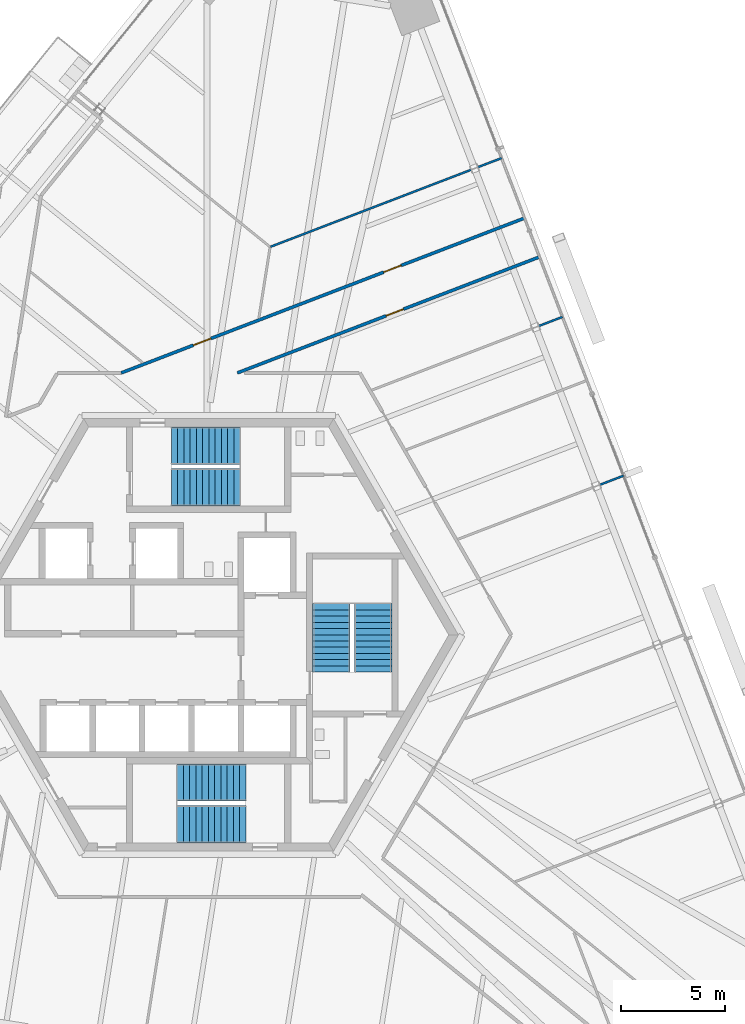
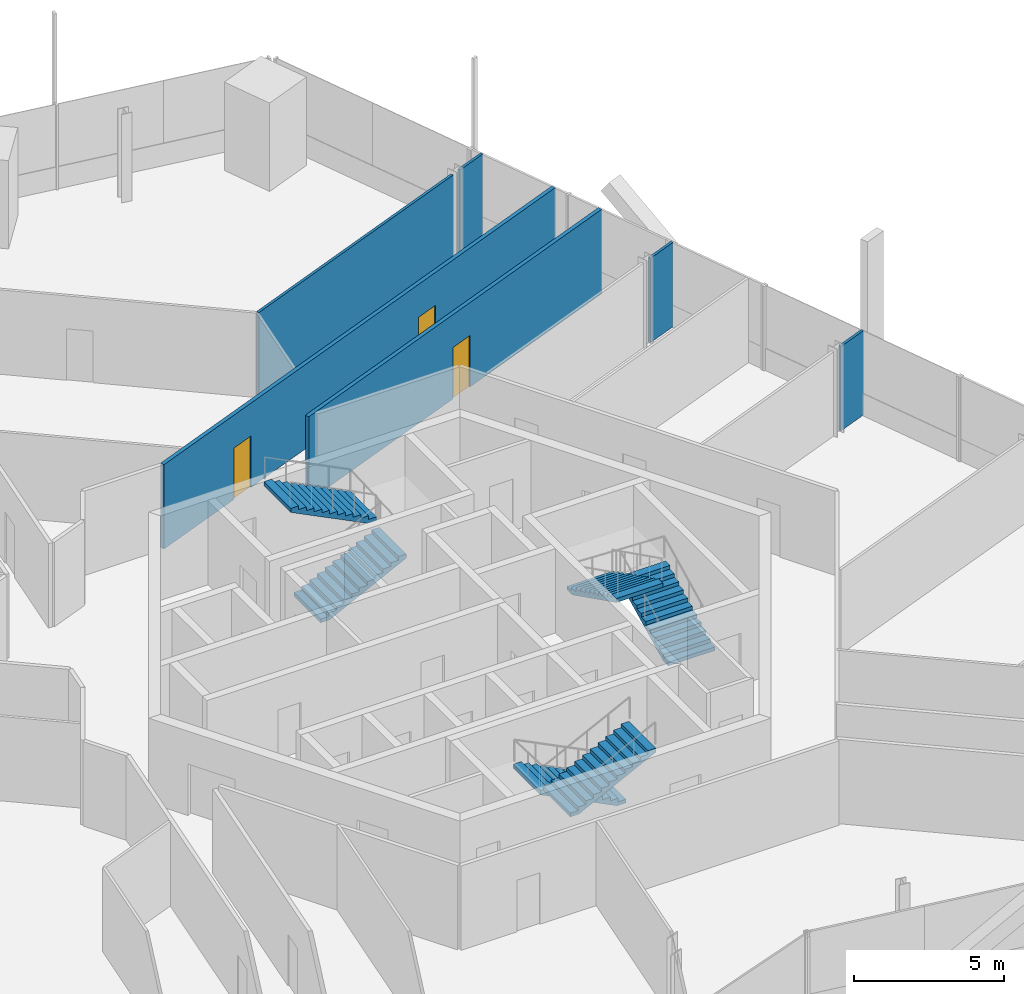
# One storey, part 15 of 21: 6 stair flights, 6 walls, 3 doors, 3 openings, 3 elements without a shape of their own.
"""IFC4 building model written with IfcOpenShell, lengths in metres."""

import ifcopenshell
import ifcopenshell.guid

model = None  # the IFC model being written
_history = None  # IfcOwnerHistory: only IFC2X3 demands one
_inside = {}  # id of a spatial element -> (the spatial element, [elements in it])
_under = {}  # id of a project, library or spatial element -> (it, [spatial elements below it])
_declared = {}  # id of a project -> (the project, [libraries it declares])
_typed = {}  # id of a type object -> (the type object, [elements of that type])
_made_of = {}  # id of a material, layer set ... -> (it, [elements and type objects made of it])


def new_model(schema):
    """Start an empty IFC model of exactly this schema.

    Asked for "IFC4X3", IfcOpenShell would pick the latest addendum, in which some entities
    have other attributes; the version numbers below select the first issue.
    IFC2X3 requires an IfcOwnerHistory on every rooted entity: one is made here for all.
    """
    global model, _history
    if schema == "IFC4X3":
        model = ifcopenshell.file(schema_version=(4, 3, 0, 0))
    else:
        model = ifcopenshell.file(schema=schema)
    _inside.clear()
    _under.clear()
    _declared.clear()
    _typed.clear()
    _made_of.clear()
    _history = None
    if model.schema == "IFC2X3":
        org = make("IfcOrganization", Name="unknown")
        user = make(
            "IfcPersonAndOrganization",
            ThePerson=make("IfcPerson", FamilyName="unknown"),
            TheOrganization=org,
        )
        app = make(
            "IfcApplication",
            ApplicationDeveloper=org,
            Version="unknown",
            ApplicationFullName="unknown",
            ApplicationIdentifier="unknown",
        )
        _history = make(
            "IfcOwnerHistory",
            OwningUser=user,
            OwningApplication=app,
            ChangeAction="ADDED",
            CreationDate=0,
        )
    return model


def make(cls, **values):
    """One entity of the class cls with the attributes given. An attribute that is None is left unset."""
    return model.create_entity(
        cls, **{name: value for name, value in values.items() if value is not None}
    )


def rooted(cls, **values):
    """An entity with a GlobalId (a new one), such as an element, a storey or a relation."""
    return make(cls, GlobalId=ifcopenshell.guid.new(), OwnerHistory=_history, **values)


def si_unit(unit_type, name, prefix=None):
    """IfcSIUnit, for example si_unit("LENGTHUNIT", "METRE", prefix="MILLI")."""
    return make("IfcSIUnit", UnitType=unit_type, Prefix=prefix, Name=name)


def assignment(units):
    """IfcUnitAssignment: the units of a project."""
    return None if units is None else make("IfcUnitAssignment", Units=units)


def point(xyz):
    """IfcCartesianPoint."""
    return None if xyz is None else make("IfcCartesianPoint", Coordinates=xyz)


def direction(xyz):
    """IfcDirection."""
    return None if xyz is None else make("IfcDirection", DirectionRatios=xyz)


def frame(location, z_axis=None, x_axis=None):
    """IfcAxis2Placement3D, a coordinate frame: its origin and axes. An axis left out is left unset."""
    return make(
        "IfcAxis2Placement3D",
        Location=point(location),
        Axis=direction(z_axis),
        RefDirection=direction(x_axis),
    )


def frame_2d(location, x_axis=None):
    """IfcAxis2Placement2D, a coordinate frame in the plane: its origin and x axis."""
    return make(
        "IfcAxis2Placement2D", Location=point(location), RefDirection=direction(x_axis)
    )


def origin():
    """The frame at (0, 0, 0) with its axes left unset."""
    return frame((0.0, 0.0, 0.0))


def place(relative_to, where):
    """IfcLocalPlacement: puts the frame where relative to a parent placement (None: the world)."""
    return make(
        "IfcLocalPlacement", PlacementRelTo=relative_to, RelativePlacement=where
    )


def context(
    kind, dimensions, precision=None, world=None, true_north=None, identifier=None
):
    """IfcGeometricRepresentationContext, for example the 3D "Model" context."""
    return make(
        "IfcGeometricRepresentationContext",
        ContextIdentifier=identifier,
        ContextType=kind,
        CoordinateSpaceDimension=dimensions,
        Precision=precision,
        WorldCoordinateSystem=world,
        TrueNorth=true_north,
    )


def subcontext(parent, identifier, kind, view, scale=None):
    """IfcGeometricRepresentationSubContext, for example "Body" below "Model"."""
    return make(
        "IfcGeometricRepresentationSubContext",
        ContextIdentifier=identifier,
        ContextType=kind,
        ParentContext=parent,
        TargetScale=scale,
        TargetView=view,
    )


def project(units=None, contexts=None):
    """IfcProject with its units and contexts."""
    return rooted(
        "IfcProject",
        Name="project",
        RepresentationContexts=contexts,
        UnitsInContext=assignment(units),
    )


def spatial(cls, under=None, at=None, **own):
    """A site, building, storey or space (cls), placed at a placement, below another one or the project."""
    s = rooted(cls, ObjectPlacement=at, **own)
    if under is not None:
        _under.setdefault(under.id(), (under, []))[1].append(s)
    return s


def polyline(points):
    """IfcPolyline through the points."""
    return make("IfcPolyline", Points=[point(p) for p in points])


def profile(cls, at=None, kind="AREA", **sizes):
    """A parametric profile (cls). Its sizes go by their IFC names, for example OverallWidth=200.0."""
    return make(cls, ProfileType=kind, Position=at, **sizes)


def rectangle(**sizes):
    """IfcRectangleProfileDef."""
    return profile("IfcRectangleProfileDef", **sizes)


def outline(outer, holes=None, kind="AREA"):
    """IfcArbitraryClosedProfileDef: a profile drawn as a closed curve; with holes, ...WithVoids."""
    if holes is None:
        return make("IfcArbitraryClosedProfileDef", ProfileType=kind, OuterCurve=outer)
    return make(
        "IfcArbitraryProfileDefWithVoids",
        ProfileType=kind,
        OuterCurve=outer,
        InnerCurves=holes,
    )


def extrude(swept, where, along, depth):
    """IfcExtrudedAreaSolid: the profile swept, set in the frame where, extruded along a direction by depth."""
    return make(
        "IfcExtrudedAreaSolid",
        SweptArea=swept,
        Position=where,
        ExtrudedDirection=direction(along),
        Depth=depth,
    )


def shape(context_of_items, identifier, shape_type, items):
    """IfcShapeRepresentation: the items that make up one representation, for example the "Body"."""
    return make(
        "IfcShapeRepresentation",
        ContextOfItems=context_of_items,
        RepresentationIdentifier=identifier,
        RepresentationType=shape_type,
        Items=items,
    )


def source(mapping_origin, context_of_items, identifier, shape_type, items):
    """IfcRepresentationMap: a shape defined once, which mapped items show again and again."""
    return make(
        "IfcRepresentationMap",
        MappingOrigin=mapping_origin,
        MappedRepresentation=shape(context_of_items, identifier, shape_type, items),
    )


def transform(
    local_origin,
    x_axis=None,
    y_axis=None,
    z_axis=None,
    scale=None,
    scale2=None,
    scale3=None,
    uniform=True,
):
    """IfcCartesianTransformationOperator3D, or its non-uniform kind. x_axis, y_axis, z_axis: its Axis1, 2, 3."""
    if uniform:
        return make(
            "IfcCartesianTransformationOperator3D",
            Axis1=direction(x_axis),
            Axis2=direction(y_axis),
            LocalOrigin=point(local_origin),
            Scale=scale,
            Axis3=direction(z_axis),
        )
    return make(
        "IfcCartesianTransformationOperator3DnonUniform",
        Axis1=direction(x_axis),
        Axis2=direction(y_axis),
        LocalOrigin=point(local_origin),
        Scale=scale,
        Axis3=direction(z_axis),
        Scale2=scale2,
        Scale3=scale3,
    )


def mapped(mapping_source, mapping_target):
    """IfcMappedItem: shows the shape of a source again, moved by a transform."""
    return make(
        "IfcMappedItem", MappingSource=mapping_source, MappingTarget=mapping_target
    )


def material(Name=None, Category=None):
    """IfcMaterial."""
    return make("IfcMaterial", Name=Name, Category=Category)


def layer(
    of_material, thickness, ventilated=None, Name=None, Category=None, Priority=None
):
    """IfcMaterialLayer: one layer of a wall or slab, of a material (None: an air gap)."""
    return make(
        "IfcMaterialLayer",
        Material=of_material,
        LayerThickness=thickness,
        IsVentilated=ventilated,
        Name=Name,
        Category=Category,
        Priority=Priority,
    )


def layer_set(layers, Name=None):
    """IfcMaterialLayerSet."""
    return make("IfcMaterialLayerSet", MaterialLayers=layers, LayerSetName=Name)


def made_of(thing, what):
    """Note that an element or type object is made of a material, layer set ...; save() writes the relation."""
    if what is not None:
        _made_of.setdefault(what.id(), (what, []))[1].append(thing)
    return thing


def type_object(cls, material=None, **own):
    """A type object (cls), such as IfcWallType, which elements share."""
    return made_of(rooted(cls, **own), material)


def element(
    cls,
    number,
    at=None,
    inside=None,
    cuts=None,
    type_object=None,
    material=None,
    context=None,
    identifier="Body",
    shape_type=None,
    held_by="IfcProductDefinitionShape",
    body=None,
    shapes=None,
    **own,
):
    """One element of the class cls, such as IfcWall. Its Tag is "e" and its number.

    at: its placement. inside: the storey or other place that contains it. cuts: it is an
    opening in that element (IfcRelVoidsElement). A single representation is given by context,
    identifier, shape_type and body (its items); several are given by shapes. held_by: the class
    of the entity that holds the representations. save() writes the other relations.
    """
    e = rooted(cls, Tag="e%d" % number, ObjectPlacement=at, **own)
    if body is not None:
        shapes = [shape(context, identifier, shape_type, body)]
    if shapes is not None:
        e.Representation = make(held_by, Representations=shapes)
    if inside is not None:
        _inside.setdefault(inside.id(), (inside, []))[1].append(e)
    if cuts is not None:
        rooted(
            "IfcRelVoidsElement", RelatingBuildingElement=cuts, RelatedOpeningElement=e
        )
    if type_object is not None:
        _typed.setdefault(type_object.id(), (type_object, []))[1].append(e)
    return made_of(e, material)


def fill(opening, filler):
    """IfcRelFillsElement: the door or window that sits in an opening."""
    return rooted(
        "IfcRelFillsElement",
        RelatingOpeningElement=opening,
        RelatedBuildingElement=filler,
    )


def aggregate(whole, parts):
    """IfcRelAggregates: a whole, such as a stair, and the parts it consists of."""
    return rooted("IfcRelAggregates", RelatingObject=whole, RelatedObjects=parts)


def save(model, path):
    """Write the relations noted so far, then the file.

    IfcRelAggregates (storeys below a building ...), IfcRelContainedInSpatialStructure (elements
    in a storey), IfcRelDefinesByType, IfcRelAssociatesMaterial and IfcRelDeclares: one each for
    every whole, place, type object, material and project.
    """
    for whole, parts in _under.values():
        aggregate(whole, parts)
    for where, things in _inside.values():
        rooted(
            "IfcRelContainedInSpatialStructure",
            RelatedElements=things,
            RelatingStructure=where,
        )
    for kind, things in _typed.values():
        rooted("IfcRelDefinesByType", RelatedObjects=things, RelatingType=kind)
    for what, things in _made_of.values():
        rooted("IfcRelAssociatesMaterial", RelatedObjects=things, RelatingMaterial=what)
    for by, libraries in _declared.values():
        rooted("IfcRelDeclares", RelatingContext=by, RelatedDefinitions=libraries)
    model.write(path)


model = new_model("IFC4")

# Units and contexts
model_context = context("Model", 3, precision=1e-05, world=origin(), true_north=direction((0.0, 1.0)))
body_context = subcontext(model_context, "Body", "Model", "MODEL_VIEW")
ifc_project = project(units=[si_unit("LENGTHUNIT", "METRE"), si_unit("AREAUNIT", "SQUARE_METRE"), si_unit("VOLUMEUNIT", "CUBIC_METRE"), si_unit("PLANEANGLEUNIT", "RADIAN"), si_unit("MASSUNIT", "GRAM", prefix="KILO")], contexts=[model_context])

# Site, building, storey
site_placement = place(None, origin())
site = spatial("IfcSite", under=ifc_project, at=site_placement, CompositionType="ELEMENT")
building_placement = place(site_placement, origin())
building = spatial("IfcBuilding", under=site, at=building_placement, Name="Triune Harvest Tower", CompositionType="ELEMENT")
storey_placement = place(building_placement, frame((0.0, 0.0, 160.5)))
storey = spatial("IfcBuildingStorey", under=building, at=storey_placement, Name="L41", CompositionType="ELEMENT", Elevation=160.5)

# Wall, opening, door
ifc_material_1 = material(Name="Gypsum board on steel studs", Category="steel")
ifc_layer_1 = layer(ifc_material_1, 0.14990234375)
ifc_layer_set_1 = layer_set([ifc_layer_1], Name="Gypsum board on steel studs")
wall_type_1 = type_object("IfcWallType", Name="Fire Partition 150 mm", PredefinedType="PARTITIONING", material=ifc_layer_set_1)
wall_1_placement = place(storey_placement, frame((1.377685546875, 12.592529296875, 0.0), z_axis=(0.0, 0.0, 1.0), x_axis=(0.933575228314, 0.358381490982, 0.0)))
wall_1 = element("IfcWall", 1, at=wall_1_placement, inside=storey, type_object=wall_type_1, Name="Partition L41 033", PredefinedType="PARTITIONING", context=body_context, shape_type="SweptSolid", body=[
    extrude(rectangle(XDim=15.5517578125, YDim=0.14990234375, at=frame_2d((7.77587890625, 0.0))), origin(), (0.0, 0.0, 1.0), 3.43994140625),
])
opening_1_placement = place(wall_1_placement, frame((7.6533203125, 0.0, 0.0)))
opening_1 = element("IfcOpeningElement", 2, at=opening_1_placement, cuts=wall_1, Name="Opening L41-006", PredefinedType="OPENING", context=body_context, shape_type="SweptSolid", body=[
    extrude(rectangle(XDim=0.89990234375, YDim=2.10009765625, at=frame_2d((0.449951171875, 1.050048828125))), frame((0.0, 0.0849609375, 0.0), z_axis=(0.0, -1.0, 0.0), x_axis=(1.0, 0.0, 0.0)), (0.0, 0.0, 1.0), 0.169921875),
])
ifc_material_2 = material(Name="Timber and steel door set", Category="steel")
door_type_1 = type_object("IfcDoorType", Name="Single leaf door FD30 left hand 900 x 2100", OperationType="SINGLE_SWING_LEFT", PredefinedType="DOOR", material=ifc_material_2)
door_1_placement = place(opening_1_placement, origin())
door_1 = element("IfcDoor", 3, at=door_1_placement, inside=storey, type_object=door_type_1, Name="Door L41-006 Office 41.06", OperationType="SINGLE_SWING_LEFT", OverallHeight=2.10009765625, OverallWidth=0.89990234375, PredefinedType="DOOR", context=body_context, shape_type="SweptSolid", body=[
    extrude(rectangle(XDim=0.89990234375, YDim=2.10009765625, at=frame_2d((0.449951171875, 1.050048828125))), frame((0.0, 0.02490234375, 0.0), z_axis=(0.0, -1.0, 0.0), x_axis=(1.0, 0.0, 0.0)), (0.0, 0.0, 1.0), 0.050048828125),
])
fill(opening_1, door_1)

# Walls
ifc_material_3 = material(Name="Gypsum board on steel studs", Category="steel")
ifc_layer_2 = layer(ifc_material_3, 0.10009765625)
ifc_layer_set_2 = layer_set([ifc_layer_2], Name="Gypsum board on steel studs")
wall_type_2 = type_object("IfcWallType", Name="Partition 100 mm", PredefinedType="PARTITIONING", material=ifc_layer_set_2)
shared_shape_1 = source(origin(), body_context, "Body", "SweptSolid", [
    extrude(rectangle(XDim=1.212158203125, YDim=0.10009765625, at=frame_2d((0.60595703125, 0.0))), origin(), (0.0, 0.0, 1.0), 3.43994140625),
])
for number, where, z_axis, x_axis, name in (
    (4, (18.80078125, 7.21728515625, 0.0), (0.0, 0.0, 1.0), (0.933527169353, 0.358506658349, 0.0), "Partition L41 028"),
    (5, (15.871337890625, 14.84912109375, 0.0), (0.0, 0.0, 1.0), (0.933594564159, 0.358331117506, 0.0), "Partition L41 031"),
    (6, (12.941650390625, 22.481201171875, 0.0), (0.0, 0.0, 1.0), (0.933594564159, 0.358331117506, 0.0), "Partition L41 040"),
):
    element("IfcWall", number, at=place(storey_placement, frame(where, z_axis=z_axis, x_axis=x_axis)), inside=storey, type_object=wall_type_2, Name=name, PredefinedType="PARTITIONING", context=body_context, shape_type="MappedRepresentation", body=[
        mapped(shared_shape_1, transform((0.0, 0.0, 0.0), scale=1.0)),
    ])

# Wall, openings, doors
shared_shape_2 = source(origin(), body_context, "Body", "SweptSolid", [
    extrude(rectangle(XDim=20.762451171875, YDim=0.14990234375, at=frame_2d((10.38134765625, 0.0))), origin(), (0.0, 0.0, 1.0), 3.43994140625),
])
wall_2_placement = place(storey_placement, frame((-4.20361328125, 12.592529296875, 0.0), z_axis=(0.0, 0.0, 1.0), x_axis=(0.933578464151, 0.358373061591, 0.0)))
wall_2 = element("IfcWall", 7, at=wall_2_placement, inside=storey, type_object=wall_type_1, Name="Partition L41 038", PredefinedType="PARTITIONING", context=body_context, shape_type="MappedRepresentation", body=[
    mapped(shared_shape_2, transform((0.0, 0.0, 0.0), scale=1.0)),
])
opening_2_placement = place(wall_2_placement, frame((13.51220703125, 0.0, 0.0)))
opening_2 = element("IfcOpeningElement", 8, at=opening_2_placement, cuts=wall_2, Name="Opening L41-005", PredefinedType="OPENING", context=body_context, shape_type="SweptSolid", body=[
    extrude(rectangle(XDim=0.89990234375, YDim=2.10009765625, at=frame_2d((0.449951171875, 1.050048828125))), frame((0.0, 0.0849609375, 0.0), z_axis=(0.0, -1.0, 0.0), x_axis=(1.0, 0.0, 0.0)), (0.0, 0.0, 1.0), 0.169921875),
])
opening_3_placement = place(wall_2_placement, frame((3.71875, 0.0, 0.0)))
opening_3 = element("IfcOpeningElement", 9, at=opening_3_placement, cuts=wall_2, Name="Opening L41-008", PredefinedType="OPENING", context=body_context, shape_type="SweptSolid", body=[
    extrude(rectangle(XDim=0.89990234375, YDim=2.10009765625, at=frame_2d((0.449951171875, 1.050048828125))), frame((0.0, 0.0849609375, 0.0), z_axis=(0.0, -1.0, 0.0), x_axis=(1.0, 0.0, 0.0)), (0.0, 0.0, 1.0), 0.169921875),
])
door_2_placement = place(opening_3_placement, origin())
door_2 = element("IfcDoor", 10, at=door_2_placement, inside=storey, type_object=door_type_1, Name="Door L41-008 Project Room 41.08", OperationType="SINGLE_SWING_LEFT", OverallHeight=2.10009765625, OverallWidth=0.89990234375, PredefinedType="DOOR", context=body_context, shape_type="SweptSolid", body=[
    extrude(rectangle(XDim=0.89990234375, YDim=2.10009765625, at=frame_2d((0.449951171875, 1.050048828125))), frame((0.0, 0.02490234375, 0.0), z_axis=(0.0, -1.0, 0.0), x_axis=(1.0, 0.0, 0.0)), (0.0, 0.0, 1.0), 0.050048828125),
])
fill(opening_3, door_2)
ifc_material_4 = material(Name="Timber and steel door set", Category="steel")
door_type_2 = type_object("IfcDoorType", Name="Single leaf door FD30 right hand 900 x 2100", OperationType="SINGLE_SWING_RIGHT", PredefinedType="DOOR", material=ifc_material_4)
door_3_placement = place(opening_2_placement, origin())
door_3 = element("IfcDoor", 11, at=door_3_placement, inside=storey, type_object=door_type_2, Name="Door L41-005 Meeting Room 41.05", OperationType="SINGLE_SWING_RIGHT", OverallHeight=2.10009765625, OverallWidth=0.89990234375, PredefinedType="DOOR", context=body_context, shape_type="SweptSolid", body=[
    extrude(rectangle(XDim=0.89990234375, YDim=2.10009765625, at=frame_2d((0.449951171875, 1.050048828125))), frame((0.0, 0.02490234375, 0.0), z_axis=(0.0, -1.0, 0.0), x_axis=(1.0, 0.0, 0.0)), (0.0, 0.0, 1.0), 0.050048828125),
])
fill(opening_2, door_3)

# Wall
shared_shape_3 = source(origin(), body_context, "Body", "SweptSolid", [
    extrude(rectangle(XDim=10.325439453125, YDim=0.10009765625, at=frame_2d((5.16259765625, 0.0))), origin(), (0.0, 0.0, 1.0), 3.43994140625),
])
wall_3_placement = place(storey_placement, frame((2.97216796875, 18.654296875, 0.0), z_axis=(0.0, 0.0, 1.0), x_axis=(0.933584283364, 0.358357901901, 0.0)))
element("IfcWall", 12, at=wall_3_placement, inside=storey, type_object=wall_type_2, Name="Partition L41 039", PredefinedType="PARTITIONING", context=body_context, shape_type="MappedRepresentation", body=[
    mapped(shared_shape_3, transform((0.0, 0.0, 0.0), scale=1.0)),
])

# Stair, stair flights
ifc_material_5 = material(Name="Concrete 40 MPa", Category="concrete")
stair_type = type_object("IfcStairType", Name="Exit stair 1800 half turn", PredefinedType="HALF_TURN_STAIR", material=ifc_material_5)
stair_1_placement = place(storey_placement, origin())
stair_1 = element("IfcStair", 13, at=stair_1_placement, inside=storey, type_object=stair_type, Name="Exit stair north", PredefinedType="HALF_TURN_STAIR")
ifc_material_6 = material(Name="Concrete 40 MPa", Category="concrete")
stair_flight_type = type_object("IfcStairFlightType", Name="Stair flight 1800", PredefinedType="STRAIGHT", material=ifc_material_6)
shared_shape_4 = source(origin(), body_context, "Body", "SweptSolid", [
    extrude(outline(polyline([(0.0, 0.0), (0.0, 0.14990234375), (0.300048828125, 0.14990234375), (0.300048828125, 0.300048828125), (0.60009765625, 0.300048828125), (0.60009765625, 0.449951171875), (0.89990234375, 0.449951171875), (0.89990234375, 0.60009765625), (1.199951171875, 0.60009765625), (1.199951171875, 0.75), (1.5, 0.75), (1.5, 0.89990234375), (1.800048828125, 0.89990234375), (1.800048828125, 1.050048828125), (2.10009765625, 1.050048828125), (2.10009765625, 1.199951171875), (2.39990234375, 1.199951171875), (2.39990234375, 1.35009765625), (2.699951171875, 1.35009765625), (2.699951171875, 1.5), (3.0, 1.5), (3.0, 1.64990234375), (3.300048828125, 1.64990234375), (3.300048828125, 1.800048828125), (3.300048828125, 1.482421875), (0.335205078125, 0.0), (0.0, 0.0)])), frame((0.0, 0.89990234375, 0.0), z_axis=(0.0, -1.0, 0.0), x_axis=(1.0, 0.0, 0.0)), (0.0, 0.0, 1.0), 1.800048828125),
])
stair_flight_1_placement = place(storey_placement, frame((-1.7900390625, 7.090087890625, 0.0), z_axis=(0.0, 0.0, 1.0), x_axis=(1.0, 0.0, 0.0)))
stair_flight_1 = element("IfcStairFlight", 14, at=stair_flight_1_placement, type_object=stair_flight_type, Name="ST-1 flight 1", NumberOfRisers=12, NumberOfTreads=11, PredefinedType="STRAIGHT", RiserHeight=0.15, TreadLength=0.3, context=body_context, shape_type="MappedRepresentation", body=[
    mapped(shared_shape_4, transform((0.0, 0.0, 0.0), scale=1.0)),
])
stair_flight_2_placement = place(storey_placement, frame((1.510009765625, 9.090087890625, 1.800048828125), z_axis=(0.0, 0.0, 1.0), x_axis=(-1.0, 0.0, 0.0)))
stair_flight_2 = element("IfcStairFlight", 15, at=stair_flight_2_placement, type_object=stair_flight_type, Name="ST-1 flight 2", NumberOfRisers=12, NumberOfTreads=11, PredefinedType="STRAIGHT", RiserHeight=0.15, TreadLength=0.3, context=body_context, shape_type="MappedRepresentation", body=[
    mapped(shared_shape_4, transform((0.0, 0.0, 0.0), scale=1.0)),
])
aggregate(stair_1, [stair_flight_1, stair_flight_2])

stair_2_placement = place(storey_placement, origin())
stair_2 = element("IfcStair", 16, at=stair_2_placement, inside=storey, type_object=stair_type, Name="Exit stair south", PredefinedType="HALF_TURN_STAIR")
stair_flight_3_placement = place(storey_placement, frame((1.7900390625, -7.090087890625, 0.0), z_axis=(0.0, 0.0, 1.0), x_axis=(-1.0, 0.0, 0.0)))
stair_flight_3 = element("IfcStairFlight", 17, at=stair_flight_3_placement, type_object=stair_flight_type, Name="ST-2 flight 1", NumberOfRisers=12, NumberOfTreads=11, PredefinedType="STRAIGHT", RiserHeight=0.15, TreadLength=0.3, context=body_context, shape_type="MappedRepresentation", body=[
    mapped(shared_shape_4, transform((0.0, 0.0, 0.0), scale=1.0)),
])
stair_flight_4_placement = place(storey_placement, frame((-1.510009765625, -9.090087890625, 1.800048828125), z_axis=(0.0, 0.0, 1.0), x_axis=(1.0, 0.0, 0.0)))
stair_flight_4 = element("IfcStairFlight", 18, at=stair_flight_4_placement, type_object=stair_flight_type, Name="ST-2 flight 2", NumberOfRisers=12, NumberOfTreads=11, PredefinedType="STRAIGHT", RiserHeight=0.15, TreadLength=0.3, context=body_context, shape_type="MappedRepresentation", body=[
    mapped(shared_shape_4, transform((0.0, 0.0, 0.0), scale=1.0)),
])
aggregate(stair_2, [stair_flight_3, stair_flight_4])

stair_3_placement = place(storey_placement, origin())
stair_3 = element("IfcStair", 19, at=stair_3_placement, inside=storey, type_object=stair_type, Name="Exit stair east", PredefinedType="HALF_TURN_STAIR")
stair_flight_5_placement = place(storey_placement, frame((7.89990234375, -1.7900390625, 0.0), z_axis=(0.0, 0.0, 1.0), x_axis=(0.0, 1.0, 0.0)))
stair_flight_5 = element("IfcStairFlight", 20, at=stair_flight_5_placement, type_object=stair_flight_type, Name="ST-3 flight 1", NumberOfRisers=12, NumberOfTreads=11, PredefinedType="STRAIGHT", RiserHeight=0.15, TreadLength=0.3, context=body_context, shape_type="MappedRepresentation", body=[
    mapped(shared_shape_4, transform((0.0, 0.0, 0.0), scale=1.0)),
])
stair_flight_6_placement = place(storey_placement, frame((5.89990234375, 1.510009765625, 1.800048828125), z_axis=(0.0, 0.0, 1.0), x_axis=(0.0, -1.0, 0.0)))
stair_flight_6 = element("IfcStairFlight", 21, at=stair_flight_6_placement, type_object=stair_flight_type, Name="ST-3 flight 2", NumberOfRisers=12, NumberOfTreads=11, PredefinedType="STRAIGHT", RiserHeight=0.15, TreadLength=0.3, context=body_context, shape_type="MappedRepresentation", body=[
    mapped(shared_shape_4, transform((0.0, 0.0, 0.0), scale=1.0)),
])
aggregate(stair_3, [stair_flight_5, stair_flight_6])

save(model, "model.ifc")
